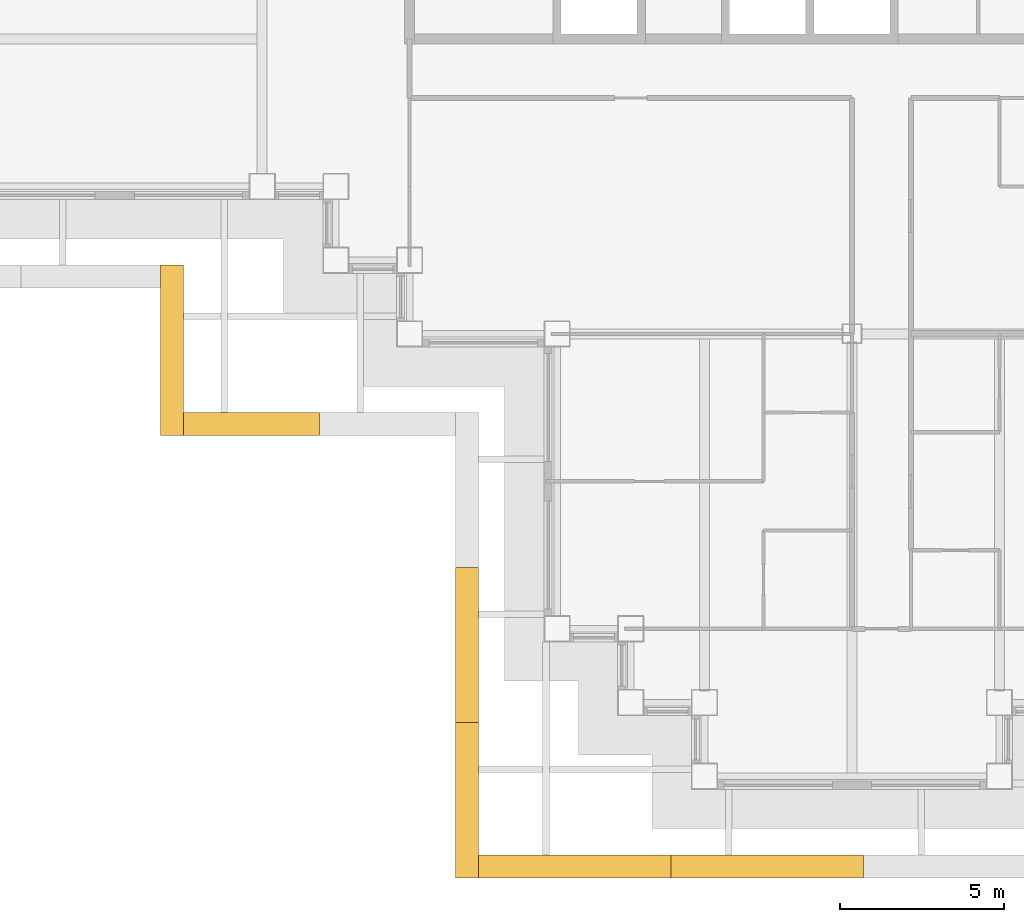
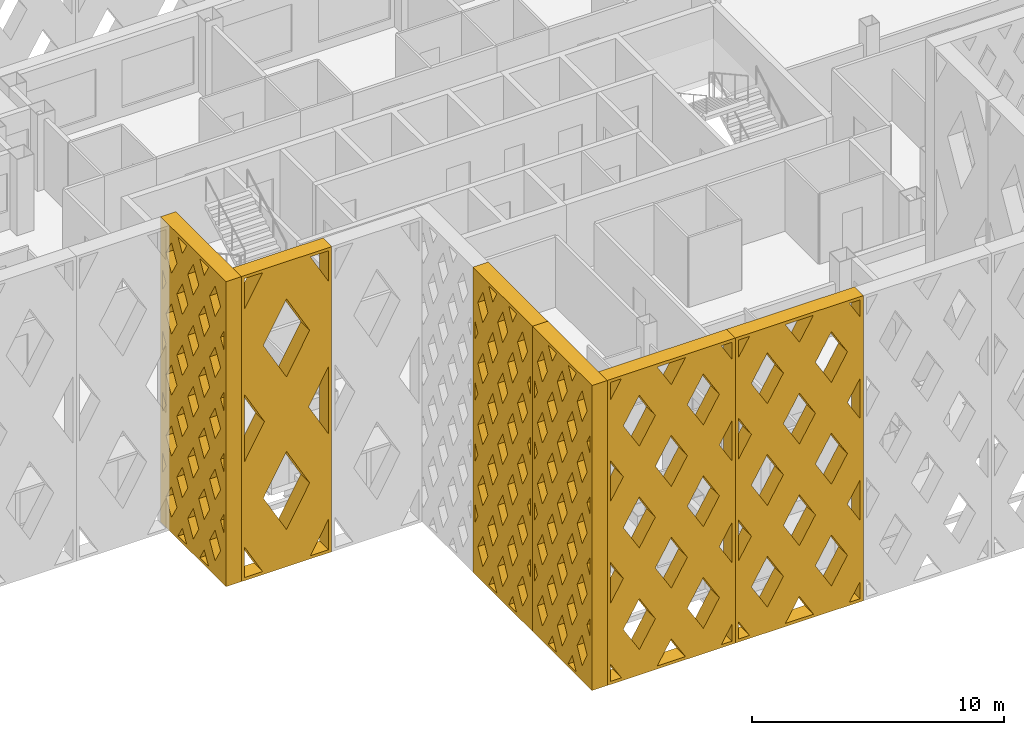
# One storey, part 13 of 19: 6 shading devices.
"""IFC4 building model written with IfcOpenShell, lengths in metres."""

from ifc_helpers import new_model, si_unit, direction, frame, origin, place, context, subcontext, project, spatial, polyline, outline, extrude, material, type_object, element, save


model = new_model("IFC4")

# Units and contexts
model_context = context("Model", 3, precision=1e-05, world=origin(), true_north=direction((0.0, 1.0)))
body_context = subcontext(model_context, "Body", "Model", "MODEL_VIEW")
ifc_project = project(units=[si_unit("LENGTHUNIT", "METRE"), si_unit("AREAUNIT", "SQUARE_METRE"), si_unit("VOLUMEUNIT", "CUBIC_METRE"), si_unit("PLANEANGLEUNIT", "RADIAN"), si_unit("MASSUNIT", "GRAM", prefix="KILO")], contexts=[model_context])

# Site, building, storey
site_placement = place(None, origin())
site = spatial("IfcSite", under=ifc_project, at=site_placement, CompositionType="ELEMENT")
building_placement = place(site_placement, origin())
building = spatial("IfcBuilding", under=site, at=building_placement, Name="Caravel Reach Hotel and Residences", CompositionType="ELEMENT")
storey_placement = place(building_placement, frame((0.0, 0.0, 150.60009765625)))
storey = spatial("IfcBuildingStorey", under=building, at=storey_placement, Name="L37", CompositionType="ELEMENT", Elevation=150.60009765625)

# Shading devices
ifc_material_1 = material(Name="Black powder-coated aluminium", Category="aluminium")
shading_device_type_1 = type_object("IfcShadingDeviceType", Name="Diamond lattice screen panel 4150 x 14800", PredefinedType="USERDEFINED", material=ifc_material_1)
shading_device_1_placement = place(storey_placement, frame((11.10009765625, 11.10009765625, 0.0), z_axis=(0.0, -1.0, 0.0), x_axis=(1.0, 0.0, 0.0)))
element("IfcShadingDevice", 1, at=shading_device_1_placement, inside=storey, type_object=shading_device_type_1, Name="Lattice screen L37-L40 16.1", ObjectType="SCREEN", PredefinedType="USERDEFINED", context=body_context, shape_type="SweptSolid", body=[
    extrude(outline(polyline([(0.0, 0.0), (4.14990234375, 0.0), (4.14990234375, 14.800048828125), (0.0, 14.800048828125), (0.0, 0.0)]), holes=[polyline([(0.97998046875, 0.14990234375), (0.14990234375, 1.6298828125), (0.14990234375, 0.14990234375), (0.97998046875, 0.14990234375)]), polyline([(1.06396484375, 7.39990234375), (0.14990234375, 9.030029296875), (0.14990234375, 5.77001953125), (1.06396484375, 7.39990234375)]), polyline([(0.14990234375, 13.170166015625), (0.97998046875, 14.64990234375), (0.14990234375, 14.64990234375), (0.14990234375, 13.170166015625)]), polyline([(2.074951171875, 5.597412109375), (1.010986328125, 3.699951171875), (2.074951171875, 1.802490234375), (3.13916015625, 3.699951171875), (2.074951171875, 5.597412109375)]), polyline([(2.074951171875, 12.997314453125), (1.010986328125, 11.10009765625), (2.074951171875, 9.20263671875), (3.13916015625, 11.10009765625), (2.074951171875, 12.997314453125)]), polyline([(4.0, 1.6298828125), (3.169921875, 0.14990234375), (4.0, 0.14990234375), (4.0, 1.6298828125)]), polyline([(3.0859375, 7.39990234375), (4.0, 5.77001953125), (4.0, 9.030029296875), (3.0859375, 7.39990234375)]), polyline([(3.169921875, 14.64990234375), (4.0, 13.170166015625), (4.0, 14.64990234375), (3.169921875, 14.64990234375)])]), origin(), (0.0, 0.0, 1.0), 0.7001953125),
])
ifc_material_2 = material(Name="Black powder-coated aluminium", Category="aluminium")
shading_device_type_2 = type_object("IfcShadingDeviceType", Name="Diamond lattice screen panel 4733 x 14800", PredefinedType="USERDEFINED", material=ifc_material_2)
shading_device_2_placement = place(storey_placement, frame((20.10009765625, 6.36669921875, 0.0), z_axis=(-1.0, 0.0, 0.0), x_axis=(0.0, -1.0, 0.0)))
element("IfcShadingDevice", 2, at=shading_device_2_placement, inside=storey, type_object=shading_device_type_2, Name="Lattice screen L37-L40 1.2", ObjectType="SCREEN", PredefinedType="USERDEFINED", context=body_context, shape_type="SweptSolid", body=[
    extrude(outline(polyline([(0.0, 0.0), (4.7333984375, 0.0), (4.7333984375, 14.800048828125), (0.0, 14.800048828125), (0.0, 0.0)]), holes=[polyline([(0.398681640625, 2.9599609375), (0.14990234375, 3.4267578125), (0.14990234375, 2.493408203125), (0.398681640625, 2.9599609375)]), polyline([(0.398681640625, 5.919921875), (0.14990234375, 6.38671875), (0.14990234375, 5.453369140625), (0.398681640625, 5.919921875)]), polyline([(0.398681640625, 8.8798828125), (0.14990234375, 9.3466796875), (0.14990234375, 8.413330078125), (0.398681640625, 8.8798828125)]), polyline([(0.398681640625, 11.840087890625), (0.14990234375, 12.306640625), (0.14990234375, 11.373291015625), (0.398681640625, 11.840087890625)]), polyline([(0.788818359375, 2.22802734375), (0.39013671875, 1.47998046875), (0.788818359375, 0.73193359375), (1.187744140625, 1.47998046875), (0.788818359375, 2.22802734375)]), polyline([(0.788818359375, 5.18798828125), (0.39013671875, 4.43994140625), (0.788818359375, 3.69189453125), (1.187744140625, 4.43994140625), (0.788818359375, 5.18798828125)]), polyline([(0.788818359375, 8.14794921875), (0.39013671875, 7.39990234375), (0.788818359375, 6.65185546875), (1.187744140625, 7.39990234375), (0.788818359375, 8.14794921875)]), polyline([(0.788818359375, 11.108154296875), (0.39013671875, 10.360107421875), (0.788818359375, 9.612060546875), (1.187744140625, 10.360107421875), (0.788818359375, 11.108154296875)]), polyline([(0.788818359375, 14.068115234375), (0.39013671875, 13.320068359375), (0.788818359375, 12.572021484375), (1.187744140625, 13.320068359375), (0.788818359375, 14.068115234375)]), polyline([(1.577880859375, 0.748046875), (1.259033203125, 0.14990234375), (1.896484375, 0.14990234375), (1.577880859375, 0.748046875)]), polyline([(1.577880859375, 3.7080078125), (1.178955078125, 2.9599609375), (1.577880859375, 2.2119140625), (1.9765625, 2.9599609375), (1.577880859375, 3.7080078125)]), polyline([(1.577880859375, 6.66796875), (1.178955078125, 5.919921875), (1.577880859375, 5.171875), (1.9765625, 5.919921875), (1.577880859375, 6.66796875)]), polyline([(1.577880859375, 9.6279296875), (1.178955078125, 8.8798828125), (1.577880859375, 8.1318359375), (1.9765625, 8.8798828125), (1.577880859375, 9.6279296875)]), polyline([(1.577880859375, 12.588134765625), (1.178955078125, 11.840087890625), (1.577880859375, 11.092041015625), (1.9765625, 11.840087890625), (1.577880859375, 12.588134765625)]), polyline([(1.577880859375, 14.052001953125), (1.896484375, 14.64990234375), (1.259033203125, 14.64990234375), (1.577880859375, 14.052001953125)]), polyline([(2.36669921875, 2.22802734375), (1.968017578125, 1.47998046875), (2.36669921875, 0.73193359375), (2.765380859375, 1.47998046875), (2.36669921875, 2.22802734375)]), polyline([(2.36669921875, 5.18798828125), (1.968017578125, 4.43994140625), (2.36669921875, 3.69189453125), (2.765380859375, 4.43994140625), (2.36669921875, 5.18798828125)]), polyline([(2.36669921875, 8.14794921875), (1.968017578125, 7.39990234375), (2.36669921875, 6.65185546875), (2.765380859375, 7.39990234375), (2.36669921875, 8.14794921875)]), polyline([(2.36669921875, 11.108154296875), (1.968017578125, 10.360107421875), (2.36669921875, 9.612060546875), (2.765380859375, 10.360107421875), (2.36669921875, 11.108154296875)]), polyline([(2.36669921875, 14.068115234375), (1.968017578125, 13.320068359375), (2.36669921875, 12.572021484375), (2.765380859375, 13.320068359375), (2.36669921875, 14.068115234375)]), polyline([(3.155517578125, 0.748046875), (2.836669921875, 0.14990234375), (3.474365234375, 0.14990234375), (3.155517578125, 0.748046875)]), polyline([(3.155517578125, 3.7080078125), (2.7568359375, 2.9599609375), (3.155517578125, 2.2119140625), (3.55419921875, 2.9599609375), (3.155517578125, 3.7080078125)]), polyline([(3.155517578125, 6.66796875), (2.7568359375, 5.919921875), (3.155517578125, 5.171875), (3.55419921875, 5.919921875), (3.155517578125, 6.66796875)]), polyline([(3.155517578125, 9.6279296875), (2.7568359375, 8.8798828125), (3.155517578125, 8.1318359375), (3.55419921875, 8.8798828125), (3.155517578125, 9.6279296875)]), polyline([(3.155517578125, 12.588134765625), (2.7568359375, 11.840087890625), (3.155517578125, 11.092041015625), (3.55419921875, 11.840087890625), (3.155517578125, 12.588134765625)]), polyline([(3.155517578125, 14.052001953125), (3.474365234375, 14.64990234375), (2.836669921875, 14.64990234375), (3.155517578125, 14.052001953125)]), polyline([(3.9443359375, 2.22802734375), (3.545654296875, 1.47998046875), (3.9443359375, 0.73193359375), (4.34326171875, 1.47998046875), (3.9443359375, 2.22802734375)]), polyline([(3.9443359375, 5.18798828125), (3.545654296875, 4.43994140625), (3.9443359375, 3.69189453125), (4.34326171875, 4.43994140625), (3.9443359375, 5.18798828125)]), polyline([(3.9443359375, 8.14794921875), (3.545654296875, 7.39990234375), (3.9443359375, 6.65185546875), (4.34326171875, 7.39990234375), (3.9443359375, 8.14794921875)]), polyline([(3.9443359375, 11.108154296875), (3.545654296875, 10.360107421875), (3.9443359375, 9.612060546875), (4.34326171875, 10.360107421875), (3.9443359375, 11.108154296875)]), polyline([(3.9443359375, 14.068115234375), (3.545654296875, 13.320068359375), (3.9443359375, 12.572021484375), (4.34326171875, 13.320068359375), (3.9443359375, 14.068115234375)]), polyline([(4.334716796875, 2.9599609375), (4.583251953125, 2.493408203125), (4.583251953125, 3.4267578125), (4.334716796875, 2.9599609375)]), polyline([(4.334716796875, 5.919921875), (4.583251953125, 5.453369140625), (4.583251953125, 6.38671875), (4.334716796875, 5.919921875)]), polyline([(4.334716796875, 8.8798828125), (4.583251953125, 8.413330078125), (4.583251953125, 9.3466796875), (4.334716796875, 8.8798828125)]), polyline([(4.334716796875, 11.840087890625), (4.583251953125, 11.373291015625), (4.583251953125, 12.306640625), (4.334716796875, 11.840087890625)])]), origin(), (0.0, 0.0, 1.0), 0.7001953125),
])
shading_device_3_placement = place(storey_placement, frame((20.10009765625, 1.63330078125, 0.0), z_axis=(-1.0, 0.0, 0.0), x_axis=(0.0, -1.0, 0.0)))
element("IfcShadingDevice", 3, at=shading_device_3_placement, inside=storey, type_object=shading_device_type_2, Name="Lattice screen L37-L40 1.3", ObjectType="SCREEN", PredefinedType="USERDEFINED", context=body_context, shape_type="SweptSolid", body=[
    extrude(outline(polyline([(0.0, 0.0), (4.7333984375, 0.0), (4.7333984375, 14.800048828125), (0.0, 14.800048828125), (0.0, 0.0)]), holes=[polyline([(0.398681640625, 2.9599609375), (0.14990234375, 3.4267578125), (0.14990234375, 2.493408203125), (0.398681640625, 2.9599609375)]), polyline([(0.398681640625, 5.919921875), (0.14990234375, 6.38671875), (0.14990234375, 5.453369140625), (0.398681640625, 5.919921875)]), polyline([(0.398681640625, 8.8798828125), (0.14990234375, 9.3466796875), (0.14990234375, 8.413330078125), (0.398681640625, 8.8798828125)]), polyline([(0.398681640625, 11.840087890625), (0.14990234375, 12.306640625), (0.14990234375, 11.373291015625), (0.398681640625, 11.840087890625)]), polyline([(0.788818359375, 2.22802734375), (0.39013671875, 1.47998046875), (0.788818359375, 0.73193359375), (1.187744140625, 1.47998046875), (0.788818359375, 2.22802734375)]), polyline([(0.788818359375, 5.18798828125), (0.39013671875, 4.43994140625), (0.788818359375, 3.69189453125), (1.187744140625, 4.43994140625), (0.788818359375, 5.18798828125)]), polyline([(0.788818359375, 8.14794921875), (0.39013671875, 7.39990234375), (0.788818359375, 6.65185546875), (1.187744140625, 7.39990234375), (0.788818359375, 8.14794921875)]), polyline([(0.788818359375, 11.108154296875), (0.39013671875, 10.360107421875), (0.788818359375, 9.612060546875), (1.187744140625, 10.360107421875), (0.788818359375, 11.108154296875)]), polyline([(0.788818359375, 14.068115234375), (0.39013671875, 13.320068359375), (0.788818359375, 12.572021484375), (1.187744140625, 13.320068359375), (0.788818359375, 14.068115234375)]), polyline([(1.577880859375, 0.748046875), (1.259033203125, 0.14990234375), (1.896484375, 0.14990234375), (1.577880859375, 0.748046875)]), polyline([(1.577880859375, 3.7080078125), (1.178955078125, 2.9599609375), (1.577880859375, 2.2119140625), (1.9765625, 2.9599609375), (1.577880859375, 3.7080078125)]), polyline([(1.577880859375, 6.66796875), (1.178955078125, 5.919921875), (1.577880859375, 5.171875), (1.9765625, 5.919921875), (1.577880859375, 6.66796875)]), polyline([(1.577880859375, 9.6279296875), (1.178955078125, 8.8798828125), (1.577880859375, 8.1318359375), (1.9765625, 8.8798828125), (1.577880859375, 9.6279296875)]), polyline([(1.577880859375, 12.588134765625), (1.178955078125, 11.840087890625), (1.577880859375, 11.092041015625), (1.9765625, 11.840087890625), (1.577880859375, 12.588134765625)]), polyline([(1.577880859375, 14.052001953125), (1.896484375, 14.64990234375), (1.259033203125, 14.64990234375), (1.577880859375, 14.052001953125)]), polyline([(2.36669921875, 2.22802734375), (1.968017578125, 1.47998046875), (2.36669921875, 0.73193359375), (2.765380859375, 1.47998046875), (2.36669921875, 2.22802734375)]), polyline([(2.36669921875, 5.18798828125), (1.968017578125, 4.43994140625), (2.36669921875, 3.69189453125), (2.765380859375, 4.43994140625), (2.36669921875, 5.18798828125)]), polyline([(2.36669921875, 8.14794921875), (1.968017578125, 7.39990234375), (2.36669921875, 6.65185546875), (2.765380859375, 7.39990234375), (2.36669921875, 8.14794921875)]), polyline([(2.36669921875, 11.108154296875), (1.968017578125, 10.360107421875), (2.36669921875, 9.612060546875), (2.765380859375, 10.360107421875), (2.36669921875, 11.108154296875)]), polyline([(2.36669921875, 14.068115234375), (1.968017578125, 13.320068359375), (2.36669921875, 12.572021484375), (2.765380859375, 13.320068359375), (2.36669921875, 14.068115234375)]), polyline([(3.155517578125, 0.748046875), (2.836669921875, 0.14990234375), (3.474365234375, 0.14990234375), (3.155517578125, 0.748046875)]), polyline([(3.155517578125, 3.7080078125), (2.7568359375, 2.9599609375), (3.155517578125, 2.2119140625), (3.55419921875, 2.9599609375), (3.155517578125, 3.7080078125)]), polyline([(3.155517578125, 6.66796875), (2.7568359375, 5.919921875), (3.155517578125, 5.171875), (3.55419921875, 5.919921875), (3.155517578125, 6.66796875)]), polyline([(3.155517578125, 9.6279296875), (2.7568359375, 8.8798828125), (3.155517578125, 8.1318359375), (3.55419921875, 8.8798828125), (3.155517578125, 9.6279296875)]), polyline([(3.155517578125, 12.588134765625), (2.7568359375, 11.840087890625), (3.155517578125, 11.092041015625), (3.55419921875, 11.840087890625), (3.155517578125, 12.588134765625)]), polyline([(3.155517578125, 14.052001953125), (3.474365234375, 14.64990234375), (2.836669921875, 14.64990234375), (3.155517578125, 14.052001953125)]), polyline([(3.9443359375, 2.22802734375), (3.545654296875, 1.47998046875), (3.9443359375, 0.73193359375), (4.34326171875, 1.47998046875), (3.9443359375, 2.22802734375)]), polyline([(3.9443359375, 5.18798828125), (3.545654296875, 4.43994140625), (3.9443359375, 3.69189453125), (4.34326171875, 4.43994140625), (3.9443359375, 5.18798828125)]), polyline([(3.9443359375, 8.14794921875), (3.545654296875, 7.39990234375), (3.9443359375, 6.65185546875), (4.34326171875, 7.39990234375), (3.9443359375, 8.14794921875)]), polyline([(3.9443359375, 11.108154296875), (3.545654296875, 10.360107421875), (3.9443359375, 9.612060546875), (4.34326171875, 10.360107421875), (3.9443359375, 11.108154296875)]), polyline([(3.9443359375, 14.068115234375), (3.545654296875, 13.320068359375), (3.9443359375, 12.572021484375), (4.34326171875, 13.320068359375), (3.9443359375, 14.068115234375)]), polyline([(4.334716796875, 2.9599609375), (4.583251953125, 2.493408203125), (4.583251953125, 3.4267578125), (4.334716796875, 2.9599609375)]), polyline([(4.334716796875, 5.919921875), (4.583251953125, 5.453369140625), (4.583251953125, 6.38671875), (4.334716796875, 5.919921875)]), polyline([(4.334716796875, 8.8798828125), (4.583251953125, 8.413330078125), (4.583251953125, 9.3466796875), (4.334716796875, 8.8798828125)]), polyline([(4.334716796875, 11.840087890625), (4.583251953125, 11.373291015625), (4.583251953125, 12.306640625), (4.334716796875, 11.840087890625)])]), origin(), (0.0, 0.0, 1.0), 0.7001953125),
])
ifc_material_3 = material(Name="Black powder-coated aluminium", Category="aluminium")
shading_device_type_3 = type_object("IfcShadingDeviceType", Name="Diamond lattice screen panel 5200 x 14800", PredefinedType="USERDEFINED", material=ifc_material_3)
shading_device_4_placement = place(storey_placement, frame((11.10009765625, 15.60009765625, 0.0), z_axis=(-1.0, 0.0, 0.0), x_axis=(0.0, -1.0, 0.0)))
element("IfcShadingDevice", 4, at=shading_device_4_placement, inside=storey, type_object=shading_device_type_3, Name="Lattice screen L37-L40 15.1", ObjectType="SCREEN", PredefinedType="USERDEFINED", context=body_context, shape_type="SweptSolid", body=[
    extrude(outline(polyline([(0.0, 0.0), (5.199951171875, 0.0), (5.199951171875, 14.800048828125), (0.0, 14.800048828125), (0.0, 0.0)]), holes=[polyline([(0.436767578125, 2.9599609375), (0.14990234375, 3.449462890625), (0.14990234375, 2.470458984375), (0.436767578125, 2.9599609375)]), polyline([(0.436767578125, 5.919921875), (0.14990234375, 6.409423828125), (0.14990234375, 5.430419921875), (0.436767578125, 5.919921875)]), polyline([(0.436767578125, 8.8798828125), (0.14990234375, 9.36962890625), (0.14990234375, 8.390380859375), (0.436767578125, 8.8798828125)]), polyline([(0.436767578125, 11.840087890625), (0.14990234375, 12.32958984375), (0.14990234375, 11.3505859375), (0.436767578125, 11.840087890625)]), polyline([(0.86669921875, 2.2255859375), (0.429931640625, 1.47998046875), (0.86669921875, 0.734375), (1.30322265625, 1.47998046875), (0.86669921875, 2.2255859375)]), polyline([(0.86669921875, 5.185791015625), (0.429931640625, 4.43994140625), (0.86669921875, 3.6943359375), (1.30322265625, 4.43994140625), (0.86669921875, 5.185791015625)]), polyline([(0.86669921875, 8.145751953125), (0.429931640625, 7.39990234375), (0.86669921875, 6.654296875), (1.30322265625, 7.39990234375), (0.86669921875, 8.145751953125)]), polyline([(0.86669921875, 11.105712890625), (0.429931640625, 10.360107421875), (0.86669921875, 9.6142578125), (1.30322265625, 10.360107421875), (0.86669921875, 11.105712890625)]), polyline([(0.86669921875, 14.065673828125), (0.429931640625, 13.320068359375), (0.86669921875, 12.57421875), (1.30322265625, 13.320068359375), (0.86669921875, 14.065673828125)]), polyline([(1.7333984375, 0.74560546875), (1.384521484375, 0.14990234375), (2.08203125, 0.14990234375), (1.7333984375, 0.74560546875)]), polyline([(1.7333984375, 3.70556640625), (1.296630859375, 2.9599609375), (1.7333984375, 2.21435546875), (2.169921875, 2.9599609375), (1.7333984375, 3.70556640625)]), polyline([(1.7333984375, 6.665771484375), (1.296630859375, 5.919921875), (1.7333984375, 5.17431640625), (2.169921875, 5.919921875), (1.7333984375, 6.665771484375)]), polyline([(1.7333984375, 9.625732421875), (1.296630859375, 8.8798828125), (1.7333984375, 8.13427734375), (2.169921875, 8.8798828125), (1.7333984375, 9.625732421875)]), polyline([(1.7333984375, 12.585693359375), (1.296630859375, 11.840087890625), (1.7333984375, 11.09423828125), (2.169921875, 11.840087890625), (1.7333984375, 12.585693359375)]), polyline([(1.7333984375, 14.054443359375), (2.08203125, 14.64990234375), (1.384521484375, 14.64990234375), (1.7333984375, 14.054443359375)]), polyline([(2.60009765625, 2.2255859375), (2.163330078125, 1.47998046875), (2.60009765625, 0.734375), (3.03662109375, 1.47998046875), (2.60009765625, 2.2255859375)]), polyline([(2.60009765625, 5.185791015625), (2.163330078125, 4.43994140625), (2.60009765625, 3.6943359375), (3.03662109375, 4.43994140625), (2.60009765625, 5.185791015625)]), polyline([(2.60009765625, 8.145751953125), (2.163330078125, 7.39990234375), (2.60009765625, 6.654296875), (3.03662109375, 7.39990234375), (2.60009765625, 8.145751953125)]), polyline([(2.60009765625, 11.105712890625), (2.163330078125, 10.360107421875), (2.60009765625, 9.6142578125), (3.03662109375, 10.360107421875), (2.60009765625, 11.105712890625)]), polyline([(2.60009765625, 14.065673828125), (2.163330078125, 13.320068359375), (2.60009765625, 12.57421875), (3.03662109375, 13.320068359375), (2.60009765625, 14.065673828125)]), polyline([(3.466552734375, 0.74560546875), (3.117919921875, 0.14990234375), (3.8154296875, 0.14990234375), (3.466552734375, 0.74560546875)]), polyline([(3.466552734375, 3.70556640625), (3.030029296875, 2.9599609375), (3.466552734375, 2.21435546875), (3.9033203125, 2.9599609375), (3.466552734375, 3.70556640625)]), polyline([(3.466552734375, 6.665771484375), (3.030029296875, 5.919921875), (3.466552734375, 5.17431640625), (3.9033203125, 5.919921875), (3.466552734375, 6.665771484375)]), polyline([(3.466552734375, 9.625732421875), (3.030029296875, 8.8798828125), (3.466552734375, 8.13427734375), (3.9033203125, 8.8798828125), (3.466552734375, 9.625732421875)]), polyline([(3.466552734375, 12.585693359375), (3.030029296875, 11.840087890625), (3.466552734375, 11.09423828125), (3.9033203125, 11.840087890625), (3.466552734375, 12.585693359375)]), polyline([(3.466552734375, 14.054443359375), (3.8154296875, 14.64990234375), (3.117919921875, 14.64990234375), (3.466552734375, 14.054443359375)]), polyline([(4.333251953125, 2.2255859375), (3.896728515625, 1.47998046875), (4.333251953125, 0.734375), (4.77001953125, 1.47998046875), (4.333251953125, 2.2255859375)]), polyline([(4.333251953125, 5.185791015625), (3.896728515625, 4.43994140625), (4.333251953125, 3.6943359375), (4.77001953125, 4.43994140625), (4.333251953125, 5.185791015625)]), polyline([(4.333251953125, 8.145751953125), (3.896728515625, 7.39990234375), (4.333251953125, 6.654296875), (4.77001953125, 7.39990234375), (4.333251953125, 8.145751953125)]), polyline([(4.333251953125, 11.105712890625), (3.896728515625, 10.360107421875), (4.333251953125, 9.6142578125), (4.77001953125, 10.360107421875), (4.333251953125, 11.105712890625)]), polyline([(4.333251953125, 14.065673828125), (3.896728515625, 13.320068359375), (4.333251953125, 12.57421875), (4.77001953125, 13.320068359375), (4.333251953125, 14.065673828125)]), polyline([(4.763427734375, 2.9599609375), (5.050048828125, 2.470458984375), (5.050048828125, 3.449462890625), (4.763427734375, 2.9599609375)]), polyline([(4.763427734375, 5.919921875), (5.050048828125, 5.430419921875), (5.050048828125, 6.409423828125), (4.763427734375, 5.919921875)]), polyline([(4.763427734375, 8.8798828125), (5.050048828125, 8.390380859375), (5.050048828125, 9.36962890625), (4.763427734375, 8.8798828125)]), polyline([(4.763427734375, 11.840087890625), (5.050048828125, 11.3505859375), (5.050048828125, 12.32958984375), (4.763427734375, 11.840087890625)])]), origin(), (0.0, 0.0, 1.0), 0.7001953125),
])
ifc_material_4 = material(Name="Black powder-coated aluminium", Category="aluminium")
shading_device_type_4 = type_object("IfcShadingDeviceType", Name="Diamond lattice screen panel 5875 x 14800", PredefinedType="USERDEFINED", material=ifc_material_4)
shading_device_5_placement = place(storey_placement, frame((20.10009765625, -2.39990234375, 0.0), z_axis=(0.0, -1.0, 0.0), x_axis=(1.0, 0.0, 0.0)))
element("IfcShadingDevice", 5, at=shading_device_5_placement, inside=storey, type_object=shading_device_type_4, Name="Lattice screen L37-L40 2.1", ObjectType="SCREEN", PredefinedType="USERDEFINED", context=body_context, shape_type="SweptSolid", body=[
    extrude(outline(polyline([(0.0, 0.0), (5.875, 0.0), (5.875, 14.800048828125), (0.0, 14.800048828125), (0.0, 0.0)]), holes=[polyline([(0.647216796875, 0.14990234375), (0.14990234375, 0.985107421875), (0.14990234375, 0.14990234375), (0.647216796875, 0.14990234375)]), polyline([(0.736572265625, 4.933349609375), (0.14990234375, 5.91845703125), (0.14990234375, 3.9482421875), (0.736572265625, 4.933349609375)]), polyline([(0.736572265625, 9.86669921875), (0.14990234375, 10.851806640625), (0.14990234375, 8.881591796875), (0.736572265625, 9.86669921875)]), polyline([(0.14990234375, 13.81494140625), (0.647216796875, 14.64990234375), (0.14990234375, 14.64990234375), (0.14990234375, 13.81494140625)]), polyline([(1.46875, 3.70361328125), (0.732177734375, 2.466552734375), (1.46875, 1.2294921875), (2.205322265625, 2.466552734375), (1.46875, 3.70361328125)]), polyline([(1.46875, 8.636962890625), (0.732177734375, 7.39990234375), (1.46875, 6.162841796875), (2.205322265625, 7.39990234375), (1.46875, 8.636962890625)]), polyline([(1.46875, 13.5703125), (0.732177734375, 12.333251953125), (1.46875, 11.09619140625), (2.205322265625, 12.333251953125), (1.46875, 13.5703125)]), polyline([(2.9375, 1.237060546875), (2.290283203125, 0.14990234375), (3.584716796875, 0.14990234375), (2.9375, 1.237060546875)]), polyline([(2.9375, 6.17041015625), (2.200927734375, 4.933349609375), (2.9375, 3.6962890625), (3.674072265625, 4.933349609375), (2.9375, 6.17041015625)]), polyline([(2.9375, 11.103759765625), (2.200927734375, 9.86669921875), (2.9375, 8.629638671875), (3.674072265625, 9.86669921875), (2.9375, 11.103759765625)]), polyline([(2.9375, 13.56298828125), (3.584716796875, 14.64990234375), (2.290283203125, 14.64990234375), (2.9375, 13.56298828125)]), polyline([(4.40625, 3.70361328125), (3.669677734375, 2.466552734375), (4.40625, 1.2294921875), (5.142822265625, 2.466552734375), (4.40625, 3.70361328125)]), polyline([(4.40625, 8.636962890625), (3.669677734375, 7.39990234375), (4.40625, 6.162841796875), (5.142822265625, 7.39990234375), (4.40625, 8.636962890625)]), polyline([(4.40625, 13.5703125), (3.669677734375, 12.333251953125), (4.40625, 11.09619140625), (5.142822265625, 12.333251953125), (4.40625, 13.5703125)]), polyline([(5.72509765625, 0.985107421875), (5.227783203125, 0.14990234375), (5.72509765625, 0.14990234375), (5.72509765625, 0.985107421875)]), polyline([(5.138427734375, 4.933349609375), (5.72509765625, 3.9482421875), (5.72509765625, 5.91845703125), (5.138427734375, 4.933349609375)]), polyline([(5.138427734375, 9.86669921875), (5.72509765625, 8.881591796875), (5.72509765625, 10.851806640625), (5.138427734375, 9.86669921875)]), polyline([(5.227783203125, 14.64990234375), (5.72509765625, 13.81494140625), (5.72509765625, 14.64990234375), (5.227783203125, 14.64990234375)])]), origin(), (0.0, 0.0, 1.0), 0.7001953125),
])
shading_device_6_placement = place(storey_placement, frame((25.97509765625, -2.39990234375, 0.0), z_axis=(0.0, -1.0, 0.0), x_axis=(1.0, 0.0, 0.0)))
element("IfcShadingDevice", 6, at=shading_device_6_placement, inside=storey, type_object=shading_device_type_4, Name="Lattice screen L37-L40 2.2", ObjectType="SCREEN", PredefinedType="USERDEFINED", context=body_context, shape_type="SweptSolid", body=[
    extrude(outline(polyline([(0.0, 0.0), (5.875, 0.0), (5.875, 14.800048828125), (0.0, 14.800048828125), (0.0, 0.0)]), holes=[polyline([(0.647216796875, 0.14990234375), (0.14990234375, 0.985107421875), (0.14990234375, 0.14990234375), (0.647216796875, 0.14990234375)]), polyline([(0.736572265625, 4.933349609375), (0.14990234375, 5.91845703125), (0.14990234375, 3.9482421875), (0.736572265625, 4.933349609375)]), polyline([(0.736572265625, 9.86669921875), (0.14990234375, 10.851806640625), (0.14990234375, 8.881591796875), (0.736572265625, 9.86669921875)]), polyline([(0.14990234375, 13.81494140625), (0.647216796875, 14.64990234375), (0.14990234375, 14.64990234375), (0.14990234375, 13.81494140625)]), polyline([(1.46875, 3.70361328125), (0.732177734375, 2.466552734375), (1.46875, 1.2294921875), (2.205322265625, 2.466552734375), (1.46875, 3.70361328125)]), polyline([(1.46875, 8.636962890625), (0.732177734375, 7.39990234375), (1.46875, 6.162841796875), (2.205322265625, 7.39990234375), (1.46875, 8.636962890625)]), polyline([(1.46875, 13.5703125), (0.732177734375, 12.333251953125), (1.46875, 11.09619140625), (2.205322265625, 12.333251953125), (1.46875, 13.5703125)]), polyline([(2.9375, 1.237060546875), (2.290283203125, 0.14990234375), (3.584716796875, 0.14990234375), (2.9375, 1.237060546875)]), polyline([(2.9375, 6.17041015625), (2.200927734375, 4.933349609375), (2.9375, 3.6962890625), (3.674072265625, 4.933349609375), (2.9375, 6.17041015625)]), polyline([(2.9375, 11.103759765625), (2.200927734375, 9.86669921875), (2.9375, 8.629638671875), (3.674072265625, 9.86669921875), (2.9375, 11.103759765625)]), polyline([(2.9375, 13.56298828125), (3.584716796875, 14.64990234375), (2.290283203125, 14.64990234375), (2.9375, 13.56298828125)]), polyline([(4.40625, 3.70361328125), (3.669677734375, 2.466552734375), (4.40625, 1.2294921875), (5.142822265625, 2.466552734375), (4.40625, 3.70361328125)]), polyline([(4.40625, 8.636962890625), (3.669677734375, 7.39990234375), (4.40625, 6.162841796875), (5.142822265625, 7.39990234375), (4.40625, 8.636962890625)]), polyline([(4.40625, 13.5703125), (3.669677734375, 12.333251953125), (4.40625, 11.09619140625), (5.142822265625, 12.333251953125), (4.40625, 13.5703125)]), polyline([(5.72509765625, 0.985107421875), (5.227783203125, 0.14990234375), (5.72509765625, 0.14990234375), (5.72509765625, 0.985107421875)]), polyline([(5.138427734375, 4.933349609375), (5.72509765625, 3.9482421875), (5.72509765625, 5.91845703125), (5.138427734375, 4.933349609375)]), polyline([(5.138427734375, 9.86669921875), (5.72509765625, 8.881591796875), (5.72509765625, 10.851806640625), (5.138427734375, 9.86669921875)]), polyline([(5.227783203125, 14.64990234375), (5.72509765625, 13.81494140625), (5.72509765625, 14.64990234375), (5.227783203125, 14.64990234375)])]), origin(), (0.0, 0.0, 1.0), 0.7001953125),
])

save(model, "model.ifc")
